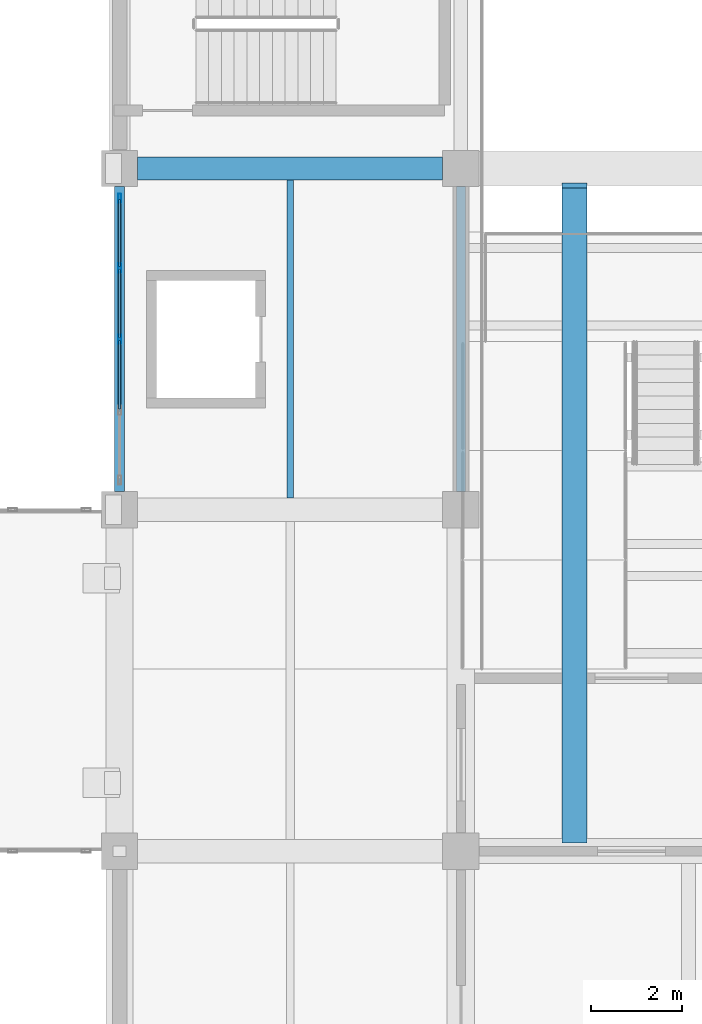
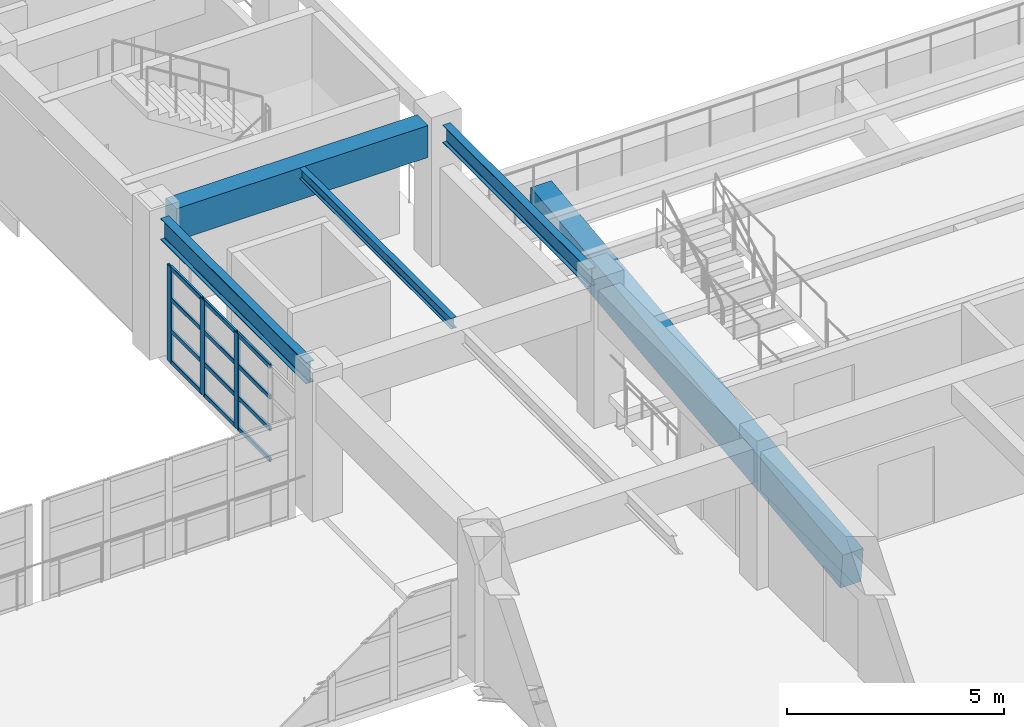
# One storey, part 25 of 124: 15 members, 5 beams, 1 element without a shape of its own.
"""IFC4 building model written with IfcOpenShell, lengths in metres."""

import ifcopenshell
import ifcopenshell.guid

model = None  # the IFC model being written
_history = None  # IfcOwnerHistory: only IFC2X3 demands one
_inside = {}  # id of a spatial element -> (the spatial element, [elements in it])
_under = {}  # id of a project, library or spatial element -> (it, [spatial elements below it])
_declared = {}  # id of a project -> (the project, [libraries it declares])
_typed = {}  # id of a type object -> (the type object, [elements of that type])
_made_of = {}  # id of a material, layer set ... -> (it, [elements and type objects made of it])


def new_model(schema):
    """Start an empty IFC model of exactly this schema.

    Asked for "IFC4X3", IfcOpenShell would pick the latest addendum, in which some entities
    have other attributes; the version numbers below select the first issue.
    IFC2X3 requires an IfcOwnerHistory on every rooted entity: one is made here for all.
    """
    global model, _history
    if schema == "IFC4X3":
        model = ifcopenshell.file(schema_version=(4, 3, 0, 0))
    else:
        model = ifcopenshell.file(schema=schema)
    _inside.clear()
    _under.clear()
    _declared.clear()
    _typed.clear()
    _made_of.clear()
    _history = None
    if model.schema == "IFC2X3":
        org = make("IfcOrganization", Name="unknown")
        user = make(
            "IfcPersonAndOrganization",
            ThePerson=make("IfcPerson", FamilyName="unknown"),
            TheOrganization=org,
        )
        app = make(
            "IfcApplication",
            ApplicationDeveloper=org,
            Version="unknown",
            ApplicationFullName="unknown",
            ApplicationIdentifier="unknown",
        )
        _history = make(
            "IfcOwnerHistory",
            OwningUser=user,
            OwningApplication=app,
            ChangeAction="ADDED",
            CreationDate=0,
        )
    return model


def make(cls, **values):
    """One entity of the class cls with the attributes given. An attribute that is None is left unset."""
    return model.create_entity(
        cls, **{name: value for name, value in values.items() if value is not None}
    )


def rooted(cls, **values):
    """An entity with a GlobalId (a new one), such as an element, a storey or a relation."""
    return make(cls, GlobalId=ifcopenshell.guid.new(), OwnerHistory=_history, **values)


def si_unit(unit_type, name, prefix=None):
    """IfcSIUnit, for example si_unit("LENGTHUNIT", "METRE", prefix="MILLI")."""
    return make("IfcSIUnit", UnitType=unit_type, Prefix=prefix, Name=name)


def assignment(units):
    """IfcUnitAssignment: the units of a project."""
    return None if units is None else make("IfcUnitAssignment", Units=units)


def point(xyz):
    """IfcCartesianPoint."""
    return None if xyz is None else make("IfcCartesianPoint", Coordinates=xyz)


def direction(xyz):
    """IfcDirection."""
    return None if xyz is None else make("IfcDirection", DirectionRatios=xyz)


def frame(location, z_axis=None, x_axis=None):
    """IfcAxis2Placement3D, a coordinate frame: its origin and axes. An axis left out is left unset."""
    return make(
        "IfcAxis2Placement3D",
        Location=point(location),
        Axis=direction(z_axis),
        RefDirection=direction(x_axis),
    )


def frame_2d(location, x_axis=None):
    """IfcAxis2Placement2D, a coordinate frame in the plane: its origin and x axis."""
    return make(
        "IfcAxis2Placement2D", Location=point(location), RefDirection=direction(x_axis)
    )


def origin():
    """The frame at (0, 0, 0) with its axes left unset."""
    return frame((0.0, 0.0, 0.0))


def origin_2d():
    """The frame at (0, 0) in the plane with its x axis left unset."""
    return frame_2d((0.0, 0.0))


def place(relative_to, where):
    """IfcLocalPlacement: puts the frame where relative to a parent placement (None: the world)."""
    return make(
        "IfcLocalPlacement", PlacementRelTo=relative_to, RelativePlacement=where
    )


def context(
    kind, dimensions, precision=None, world=None, true_north=None, identifier=None
):
    """IfcGeometricRepresentationContext, for example the 3D "Model" context."""
    return make(
        "IfcGeometricRepresentationContext",
        ContextIdentifier=identifier,
        ContextType=kind,
        CoordinateSpaceDimension=dimensions,
        Precision=precision,
        WorldCoordinateSystem=world,
        TrueNorth=true_north,
    )


def subcontext(parent, identifier, kind, view, scale=None):
    """IfcGeometricRepresentationSubContext, for example "Body" below "Model"."""
    return make(
        "IfcGeometricRepresentationSubContext",
        ContextIdentifier=identifier,
        ContextType=kind,
        ParentContext=parent,
        TargetScale=scale,
        TargetView=view,
    )


def project(units=None, contexts=None):
    """IfcProject with its units and contexts."""
    return rooted(
        "IfcProject",
        Name="project",
        RepresentationContexts=contexts,
        UnitsInContext=assignment(units),
    )


def spatial(cls, under=None, at=None, **own):
    """A site, building, storey or space (cls), placed at a placement, below another one or the project."""
    s = rooted(cls, ObjectPlacement=at, **own)
    if under is not None:
        _under.setdefault(under.id(), (under, []))[1].append(s)
    return s


def profile(cls, at=None, kind="AREA", **sizes):
    """A parametric profile (cls). Its sizes go by their IFC names, for example OverallWidth=200.0."""
    return make(cls, ProfileType=kind, Position=at, **sizes)


def rectangle(**sizes):
    """IfcRectangleProfileDef."""
    return profile("IfcRectangleProfileDef", **sizes)


def hollow_rectangle(**sizes):
    """IfcRectangleHollowProfileDef."""
    return profile("IfcRectangleHollowProfileDef", **sizes)


def i_section(**sizes):
    """IfcIShapeProfileDef."""
    return profile("IfcIShapeProfileDef", **sizes)


def extrude(swept, where, along, depth):
    """IfcExtrudedAreaSolid: the profile swept, set in the frame where, extruded along a direction by depth."""
    return make(
        "IfcExtrudedAreaSolid",
        SweptArea=swept,
        Position=where,
        ExtrudedDirection=direction(along),
        Depth=depth,
    )


def shape(context_of_items, identifier, shape_type, items):
    """IfcShapeRepresentation: the items that make up one representation, for example the "Body"."""
    return make(
        "IfcShapeRepresentation",
        ContextOfItems=context_of_items,
        RepresentationIdentifier=identifier,
        RepresentationType=shape_type,
        Items=items,
    )


def material(Name=None, Category=None):
    """IfcMaterial."""
    return make("IfcMaterial", Name=Name, Category=Category)


def material_profile(
    of_material, cross_section, Name=None, Category=None, Priority=None
):
    """IfcMaterialProfile: a cross section and its material."""
    return make(
        "IfcMaterialProfile",
        Name=Name,
        Material=of_material,
        Profile=cross_section,
        Priority=Priority,
        Category=Category,
    )


def profile_set(profiles, Name=None, composite=None):
    """IfcMaterialProfileSet."""
    return make(
        "IfcMaterialProfileSet",
        Name=Name,
        MaterialProfiles=profiles,
        CompositeProfile=composite,
    )


def made_of(thing, what):
    """Note that an element or type object is made of a material, layer set ...; save() writes the relation."""
    if what is not None:
        _made_of.setdefault(what.id(), (what, []))[1].append(thing)
    return thing


def type_object(cls, material=None, **own):
    """A type object (cls), such as IfcWallType, which elements share."""
    return made_of(rooted(cls, **own), material)


def element(
    cls,
    number,
    at=None,
    inside=None,
    cuts=None,
    type_object=None,
    material=None,
    context=None,
    identifier="Body",
    shape_type=None,
    held_by="IfcProductDefinitionShape",
    body=None,
    shapes=None,
    **own,
):
    """One element of the class cls, such as IfcWall. Its Tag is "e" and its number.

    at: its placement. inside: the storey or other place that contains it. cuts: it is an
    opening in that element (IfcRelVoidsElement). A single representation is given by context,
    identifier, shape_type and body (its items); several are given by shapes. held_by: the class
    of the entity that holds the representations. save() writes the other relations.
    """
    e = rooted(cls, Tag="e%d" % number, ObjectPlacement=at, **own)
    if body is not None:
        shapes = [shape(context, identifier, shape_type, body)]
    if shapes is not None:
        e.Representation = make(held_by, Representations=shapes)
    if inside is not None:
        _inside.setdefault(inside.id(), (inside, []))[1].append(e)
    if cuts is not None:
        rooted(
            "IfcRelVoidsElement", RelatingBuildingElement=cuts, RelatedOpeningElement=e
        )
    if type_object is not None:
        _typed.setdefault(type_object.id(), (type_object, []))[1].append(e)
    return made_of(e, material)


def aggregate(whole, parts):
    """IfcRelAggregates: a whole, such as a stair, and the parts it consists of."""
    return rooted("IfcRelAggregates", RelatingObject=whole, RelatedObjects=parts)


def save(model, path):
    """Write the relations noted so far, then the file.

    IfcRelAggregates (storeys below a building ...), IfcRelContainedInSpatialStructure (elements
    in a storey), IfcRelDefinesByType, IfcRelAssociatesMaterial and IfcRelDeclares: one each for
    every whole, place, type object, material and project.
    """
    for whole, parts in _under.values():
        aggregate(whole, parts)
    for where, things in _inside.values():
        rooted(
            "IfcRelContainedInSpatialStructure",
            RelatedElements=things,
            RelatingStructure=where,
        )
    for kind, things in _typed.values():
        rooted("IfcRelDefinesByType", RelatedObjects=things, RelatingType=kind)
    for what, things in _made_of.values():
        rooted("IfcRelAssociatesMaterial", RelatedObjects=things, RelatingMaterial=what)
    for by, libraries in _declared.values():
        rooted("IfcRelDeclares", RelatingContext=by, RelatedDefinitions=libraries)
    model.write(path)


model = new_model("IFC4")

# Units and contexts
model_context = context("Model", 3, precision=1e-05, world=origin(), true_north=direction((0.0, 1.0)))
body_context = subcontext(model_context, "Body", "Model", "MODEL_VIEW")
ifc_project = project(units=[si_unit("LENGTHUNIT", "METRE"), si_unit("AREAUNIT", "SQUARE_METRE"), si_unit("VOLUMEUNIT", "CUBIC_METRE"), si_unit("PLANEANGLEUNIT", "RADIAN"), si_unit("MASSUNIT", "GRAM", prefix="KILO")], contexts=[model_context])

# Site, building, storey
site_placement = place(None, origin())
site = spatial("IfcSite", under=ifc_project, at=site_placement, CompositionType="ELEMENT")
building_placement = place(site_placement, origin())
building = spatial("IfcBuilding", under=site, at=building_placement, Name="Qasida Concert Hall", CompositionType="ELEMENT")
storey_placement = place(building_placement, frame((0.0, 0.0, 9.0)))
storey = spatial("IfcBuildingStorey", under=building, at=storey_placement, Name="L02", CompositionType="ELEMENT", Elevation=9.0)

# Beams
ifc_material_1 = material(Name="Steel S355J2", Category="steel")
ifc_material_profile_1 = material_profile(ifc_material_1, i_section(OverallWidth=0.199951171875, OverallDepth=0.5, WebThickness=0.01025390625, FlangeThickness=0.01611328125, FilletRadius=0.02099609375, at=origin_2d()), Name="IPE 500")
ifc_profile_set_1 = profile_set([ifc_material_profile_1], Name="Steel S355J2")
beam_type_1 = type_object("IfcBeamType", Name="BM-B4", PredefinedType="BEAM", material=ifc_profile_set_1)
beam_1_placement = place(storey_placement, frame((60.0, 37.89990234375, 3.64990234375), z_axis=(0.0, 1.0, 0.0), x_axis=(-1.0, 0.0, 0.0)))
element("IfcBeam", 1, at=beam_1_placement, inside=storey, type_object=beam_type_1, Name="L02 girder 1177", PredefinedType="BEAM", context=body_context, shape_type="SweptSolid", body=[
    extrude(i_section(OverallWidth=0.199951171875, OverallDepth=0.5, WebThickness=0.01025390625, FlangeThickness=0.01611328125, FilletRadius=0.02099609375, at=origin_2d()), origin(), (0.0, 0.0, 1.0), 6.7001953125),
])
ifc_material_2 = material(Name="Concrete C40/50", Category="concrete")
ifc_material_profile_2 = material_profile(ifc_material_2, rectangle(XDim=0.5, YDim=0.89990234375, at=origin_2d()), Name="RC 500x900")
ifc_profile_set_2 = profile_set([ifc_material_profile_2], Name="Concrete C40/50")
beam_type_2 = type_object("IfcBeamType", Name="BM-G1", PredefinedType="USERDEFINED", material=ifc_profile_set_2)
beam_2_placement = place(storey_placement, frame((52.89990234375, 45.0, 3.449951171875), z_axis=(1.0, 0.0, 0.0), x_axis=(0.0, 1.0, 0.0)))
element("IfcBeam", 2, at=beam_2_placement, inside=storey, type_object=beam_type_2, Name="Primary girder 1149", ObjectType="GIRDER", PredefinedType="USERDEFINED", context=body_context, shape_type="SweptSolid", body=[
    extrude(rectangle(XDim=0.5, YDim=0.89990234375, at=origin_2d()), origin(), (0.0, 0.0, 1.0), 6.7001953125),
])
ifc_material_profile_3 = material_profile(ifc_material_1, i_section(OverallWidth=0.14990234375, OverallDepth=0.300048828125, WebThickness=0.007080078125, FlangeThickness=0.0107421875, FilletRadius=0.014892578125, at=origin_2d()), Name="IPE 300")
ifc_profile_set_3 = profile_set([ifc_material_profile_3], Name="Steel S355J2")
beam_type_3 = type_object("IfcBeamType", Name="BM-J4", PredefinedType="JOIST", material=ifc_profile_set_3)
beam_3_placement = place(storey_placement, frame((56.25, 37.760009765625, 3.75), z_axis=(0.0, 1.0, 0.0), x_axis=(-1.0, 0.0, 0.0)))
element("IfcBeam", 3, at=beam_3_placement, inside=storey, type_object=beam_type_3, Name="L02 secondary joist 1203", PredefinedType="JOIST", context=body_context, shape_type="SweptSolid", body=[
    extrude(i_section(OverallWidth=0.14990234375, OverallDepth=0.300048828125, WebThickness=0.007080078125, FlangeThickness=0.0107421875, FilletRadius=0.014892578125, at=origin_2d()), origin(), (0.0, 0.0, 1.0), 6.989990234375),
])
ifc_material_profile_4 = material_profile(ifc_material_2, rectangle(XDim=0.550048828125, YDim=1.0, at=origin_2d()), Name="RC 550x1000")
ifc_profile_set_4 = profile_set([ifc_material_profile_4], Name="Concrete C40/50")
beam_type_4 = type_object("IfcBeamType", Name="BM-RK2", PredefinedType="USERDEFINED", material=ifc_profile_set_4)
beam_4_placement = place(storey_placement, frame((62.5, 30.239990234375, -0.780029296875), z_axis=(0.0, 0.993640336328, 0.112600541838), x_axis=(-1.0, 0.0, 0.0)))
element("IfcBeam", 4, at=beam_4_placement, inside=storey, type_object=beam_type_4, Name="Raker beam RK-001", ObjectType="RAKER", PredefinedType="USERDEFINED", context=body_context, shape_type="SweptSolid", body=[
    extrude(rectangle(XDim=0.550048828125, YDim=1.0, at=origin_2d()), origin(), (0.0, 0.0, 1.0), 14.47705078125),
])
ifc_material_profile_5 = material_profile(ifc_material_1, i_section(OverallWidth=0.219970703125, OverallDepth=0.60009765625, WebThickness=0.011962890625, FlangeThickness=0.01904296875, FilletRadius=0.02392578125, at=origin_2d()), Name="IPE 600")
ifc_profile_set_5 = profile_set([ifc_material_profile_5], Name="Steel S355J2")
beam_type_5 = type_object("IfcBeamType", Name="BM-SP3", PredefinedType="SPANDREL", material=ifc_profile_set_5)
beam_5_placement = place(storey_placement, frame((52.5, 37.89990234375, 3.60009765625), z_axis=(0.0, 1.0, 0.0), x_axis=(-1.0, 0.0, 0.0)))
element("IfcBeam", 5, at=beam_5_placement, inside=storey, type_object=beam_type_5, Name="L02 girder 1171", PredefinedType="SPANDREL", context=body_context, shape_type="SweptSolid", body=[
    extrude(i_section(OverallWidth=0.219970703125, OverallDepth=0.60009765625, WebThickness=0.011962890625, FlangeThickness=0.01904296875, FilletRadius=0.02392578125, at=origin_2d()), origin(), (0.0, 0.0, 1.0), 6.7001953125),
])

# Curtain wall, members
ifc_material_3 = material(Name="Architectural bronze-anodized aluminium and low-E glass", Category="aluminium")
curtain_wall_type = type_object("IfcCurtainWallType", Name="CW-03", PredefinedType="NOTDEFINED", material=ifc_material_3)
curtain_wall_placement = place(storey_placement, origin())
curtain_wall = element("IfcCurtainWall", 6, at=curtain_wall_placement, inside=storey, type_object=curtain_wall_type, Name="L02 curtain wall CW-03 0047", PredefinedType="NOTDEFINED")
ifc_material_4 = material(Name="Architectural bronze-anodized aluminium EN AW-6063", Category="aluminium")
ifc_material_profile_6 = material_profile(ifc_material_4, hollow_rectangle(XDim=0.06494140625, YDim=0.199951171875, WallThickness=0.0048828125, InnerFilletRadius=0.0048828125, OuterFilletRadius=0.010009765625, at=origin_2d()), Name="CWM 200x65x5")
ifc_profile_set_6 = profile_set([ifc_material_profile_6], Name="Architectural bronze-anodized aluminium EN AW-6063")
member_type_1 = type_object("IfcMemberType", Name="MB-CWM-2", PredefinedType="MULLION", material=ifc_profile_set_6)
member_1_placement = place(storey_placement, frame((52.5, 41.25, 0.0), z_axis=(0.0, 0.0, 1.0), x_axis=(-1.0, 0.0, 0.0)))
member_1 = element("IfcMember", 7, at=member_1_placement, type_object=member_type_1, Name="CW-03 mullion 3", PredefinedType="MULLION", context=body_context, shape_type="SweptSolid", body=[
    extrude(hollow_rectangle(XDim=0.06494140625, YDim=0.199951171875, WallThickness=0.0048828125, InnerFilletRadius=0.0048828125, OuterFilletRadius=0.010009765625, at=origin_2d()), origin(), (0.0, 0.0, 1.0), 2.68994140625),
])
member_2_placement = place(storey_placement, frame((52.5, 42.81494140625, 0.0), z_axis=(0.0, 0.0, 1.0), x_axis=(-1.0, 0.0, 0.0)))
member_2 = element("IfcMember", 8, at=member_2_placement, type_object=member_type_1, Name="CW-03 mullion 4", PredefinedType="MULLION", context=body_context, shape_type="SweptSolid", body=[
    extrude(hollow_rectangle(XDim=0.06494140625, YDim=0.199951171875, WallThickness=0.0048828125, InnerFilletRadius=0.0048828125, OuterFilletRadius=0.010009765625, at=origin_2d()), origin(), (0.0, 0.0, 1.0), 2.68994140625),
])
member_3_placement = place(storey_placement, frame((52.5, 44.347412109375, 0.0), z_axis=(0.0, 0.0, 1.0), x_axis=(-1.0, 0.0, 0.0)))
member_3 = element("IfcMember", 9, at=member_3_placement, type_object=member_type_1, Name="CW-03 mullion 5", PredefinedType="MULLION", context=body_context, shape_type="SweptSolid", body=[
    extrude(hollow_rectangle(XDim=0.06494140625, YDim=0.199951171875, WallThickness=0.0048828125, InnerFilletRadius=0.0048828125, OuterFilletRadius=0.010009765625, at=origin_2d()), origin(), (0.0, 0.0, 1.0), 2.68994140625),
])
ifc_material_profile_7 = material_profile(ifc_material_4, hollow_rectangle(XDim=0.06005859375, YDim=0.1201171875, WallThickness=0.00390625, InnerFilletRadius=0.00390625, OuterFilletRadius=0.008056640625, at=origin_2d()), Name="CWT 120x60x4")
ifc_profile_set_7 = profile_set([ifc_material_profile_7], Name="Architectural bronze-anodized aluminium EN AW-6063")
member_type_2 = type_object("IfcMemberType", Name="MB-CWT-2", PredefinedType="USERDEFINED", material=ifc_profile_set_7)
member_4_placement = place(storey_placement, frame((52.5, 39.717529296875, 0.030029296875), z_axis=(0.0, 1.0, 0.0), x_axis=(-1.0, 0.0, 0.0)))
member_4 = element("IfcMember", 10, at=member_4_placement, type_object=member_type_2, Name="CW-03 transom 2.1", ObjectType="TRANSOM", PredefinedType="USERDEFINED", context=body_context, shape_type="SweptSolid", body=[
    extrude(hollow_rectangle(XDim=0.06005859375, YDim=0.1201171875, WallThickness=0.00390625, InnerFilletRadius=0.00390625, OuterFilletRadius=0.008056640625, at=origin_2d()), origin(), (0.0, 0.0, 1.0), 1.5),
])
member_5_placement = place(storey_placement, frame((52.5, 39.717529296875, 0.896728515625), z_axis=(0.0, 1.0, 0.0), x_axis=(-1.0, 0.0, 0.0)))
member_5 = element("IfcMember", 11, at=member_5_placement, type_object=member_type_2, Name="CW-03 transom 2.2", ObjectType="TRANSOM", PredefinedType="USERDEFINED", context=body_context, shape_type="SweptSolid", body=[
    extrude(hollow_rectangle(XDim=0.06005859375, YDim=0.1201171875, WallThickness=0.00390625, InnerFilletRadius=0.00390625, OuterFilletRadius=0.008056640625, at=origin_2d()), origin(), (0.0, 0.0, 1.0), 1.5),
])
member_6_placement = place(storey_placement, frame((52.5, 39.717529296875, 1.793212890625), z_axis=(0.0, 1.0, 0.0), x_axis=(-1.0, 0.0, 0.0)))
member_6 = element("IfcMember", 12, at=member_6_placement, type_object=member_type_2, Name="CW-03 transom 2.3", ObjectType="TRANSOM", PredefinedType="USERDEFINED", context=body_context, shape_type="SweptSolid", body=[
    extrude(hollow_rectangle(XDim=0.06005859375, YDim=0.1201171875, WallThickness=0.00390625, InnerFilletRadius=0.00390625, OuterFilletRadius=0.008056640625, at=origin_2d()), origin(), (0.0, 0.0, 1.0), 1.5),
])
member_7_placement = place(storey_placement, frame((52.5, 39.717529296875, 2.659912109375), z_axis=(0.0, 1.0, 0.0), x_axis=(-1.0, 0.0, 0.0)))
member_7 = element("IfcMember", 13, at=member_7_placement, type_object=member_type_2, Name="CW-03 transom 2.4", ObjectType="TRANSOM", PredefinedType="USERDEFINED", context=body_context, shape_type="SweptSolid", body=[
    extrude(hollow_rectangle(XDim=0.06005859375, YDim=0.1201171875, WallThickness=0.00390625, InnerFilletRadius=0.00390625, OuterFilletRadius=0.008056640625, at=origin_2d()), origin(), (0.0, 0.0, 1.0), 1.5),
])
member_8_placement = place(storey_placement, frame((52.5, 41.282470703125, 0.030029296875), z_axis=(0.0, 1.0, 0.0), x_axis=(-1.0, 0.0, 0.0)))
member_8 = element("IfcMember", 14, at=member_8_placement, type_object=member_type_2, Name="CW-03 transom 3.1", ObjectType="TRANSOM", PredefinedType="USERDEFINED", context=body_context, shape_type="SweptSolid", body=[
    extrude(hollow_rectangle(XDim=0.06005859375, YDim=0.1201171875, WallThickness=0.00390625, InnerFilletRadius=0.00390625, OuterFilletRadius=0.008056640625, at=origin_2d()), origin(), (0.0, 0.0, 1.0), 1.5),
])
member_9_placement = place(storey_placement, frame((52.5, 41.282470703125, 0.896728515625), z_axis=(0.0, 1.0, 0.0), x_axis=(-1.0, 0.0, 0.0)))
member_9 = element("IfcMember", 15, at=member_9_placement, type_object=member_type_2, Name="CW-03 transom 3.2", ObjectType="TRANSOM", PredefinedType="USERDEFINED", context=body_context, shape_type="SweptSolid", body=[
    extrude(hollow_rectangle(XDim=0.06005859375, YDim=0.1201171875, WallThickness=0.00390625, InnerFilletRadius=0.00390625, OuterFilletRadius=0.008056640625, at=origin_2d()), origin(), (0.0, 0.0, 1.0), 1.5),
])
member_10_placement = place(storey_placement, frame((52.5, 41.282470703125, 1.793212890625), z_axis=(0.0, 1.0, 0.0), x_axis=(-1.0, 0.0, 0.0)))
member_10 = element("IfcMember", 16, at=member_10_placement, type_object=member_type_2, Name="CW-03 transom 3.3", ObjectType="TRANSOM", PredefinedType="USERDEFINED", context=body_context, shape_type="SweptSolid", body=[
    extrude(hollow_rectangle(XDim=0.06005859375, YDim=0.1201171875, WallThickness=0.00390625, InnerFilletRadius=0.00390625, OuterFilletRadius=0.008056640625, at=origin_2d()), origin(), (0.0, 0.0, 1.0), 1.5),
])
member_11_placement = place(storey_placement, frame((52.5, 41.282470703125, 2.659912109375), z_axis=(0.0, 1.0, 0.0), x_axis=(-1.0, 0.0, 0.0)))
member_11 = element("IfcMember", 17, at=member_11_placement, type_object=member_type_2, Name="CW-03 transom 3.4", ObjectType="TRANSOM", PredefinedType="USERDEFINED", context=body_context, shape_type="SweptSolid", body=[
    extrude(hollow_rectangle(XDim=0.06005859375, YDim=0.1201171875, WallThickness=0.00390625, InnerFilletRadius=0.00390625, OuterFilletRadius=0.008056640625, at=origin_2d()), origin(), (0.0, 0.0, 1.0), 1.5),
])
member_12_placement = place(storey_placement, frame((52.5, 42.847412109375, 0.030029296875), z_axis=(0.0, 1.0, 0.0), x_axis=(-1.0, 0.0, 0.0)))
member_12 = element("IfcMember", 18, at=member_12_placement, type_object=member_type_2, Name="CW-03 transom 4.1", ObjectType="TRANSOM", PredefinedType="USERDEFINED", context=body_context, shape_type="SweptSolid", body=[
    extrude(hollow_rectangle(XDim=0.06005859375, YDim=0.1201171875, WallThickness=0.00390625, InnerFilletRadius=0.00390625, OuterFilletRadius=0.008056640625, at=origin_2d()), origin(), (0.0, 0.0, 1.0), 1.467529296875),
])
member_13_placement = place(storey_placement, frame((52.5, 42.847412109375, 0.896728515625), z_axis=(0.0, 1.0, 0.0), x_axis=(-1.0, 0.0, 0.0)))
member_13 = element("IfcMember", 19, at=member_13_placement, type_object=member_type_2, Name="CW-03 transom 4.2", ObjectType="TRANSOM", PredefinedType="USERDEFINED", context=body_context, shape_type="SweptSolid", body=[
    extrude(hollow_rectangle(XDim=0.06005859375, YDim=0.1201171875, WallThickness=0.00390625, InnerFilletRadius=0.00390625, OuterFilletRadius=0.008056640625, at=origin_2d()), origin(), (0.0, 0.0, 1.0), 1.467529296875),
])
member_14_placement = place(storey_placement, frame((52.5, 42.847412109375, 1.793212890625), z_axis=(0.0, 1.0, 0.0), x_axis=(-1.0, 0.0, 0.0)))
member_14 = element("IfcMember", 20, at=member_14_placement, type_object=member_type_2, Name="CW-03 transom 4.3", ObjectType="TRANSOM", PredefinedType="USERDEFINED", context=body_context, shape_type="SweptSolid", body=[
    extrude(hollow_rectangle(XDim=0.06005859375, YDim=0.1201171875, WallThickness=0.00390625, InnerFilletRadius=0.00390625, OuterFilletRadius=0.008056640625, at=origin_2d()), origin(), (0.0, 0.0, 1.0), 1.467529296875),
])
member_15_placement = place(storey_placement, frame((52.5, 42.847412109375, 2.659912109375), z_axis=(0.0, 1.0, 0.0), x_axis=(-1.0, 0.0, 0.0)))
member_15 = element("IfcMember", 21, at=member_15_placement, type_object=member_type_2, Name="CW-03 transom 4.4", ObjectType="TRANSOM", PredefinedType="USERDEFINED", context=body_context, shape_type="SweptSolid", body=[
    extrude(hollow_rectangle(XDim=0.06005859375, YDim=0.1201171875, WallThickness=0.00390625, InnerFilletRadius=0.00390625, OuterFilletRadius=0.008056640625, at=origin_2d()), origin(), (0.0, 0.0, 1.0), 1.467529296875),
])
aggregate(curtain_wall, [member_1, member_2, member_3, member_4, member_5, member_6, member_7, member_8, member_9, member_10, member_11, member_12, member_13, member_14, member_15])

save(model, "model.ifc")
